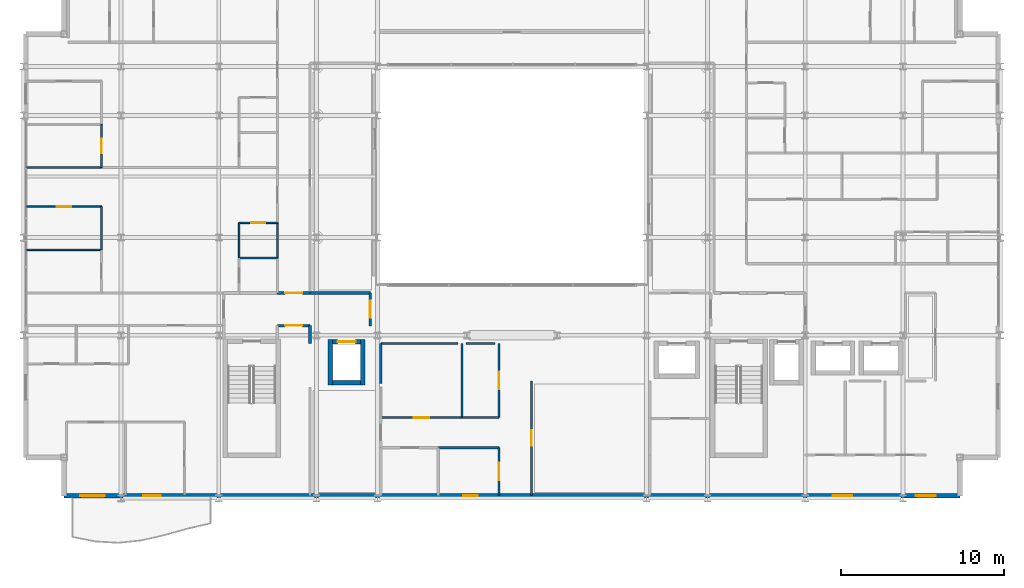
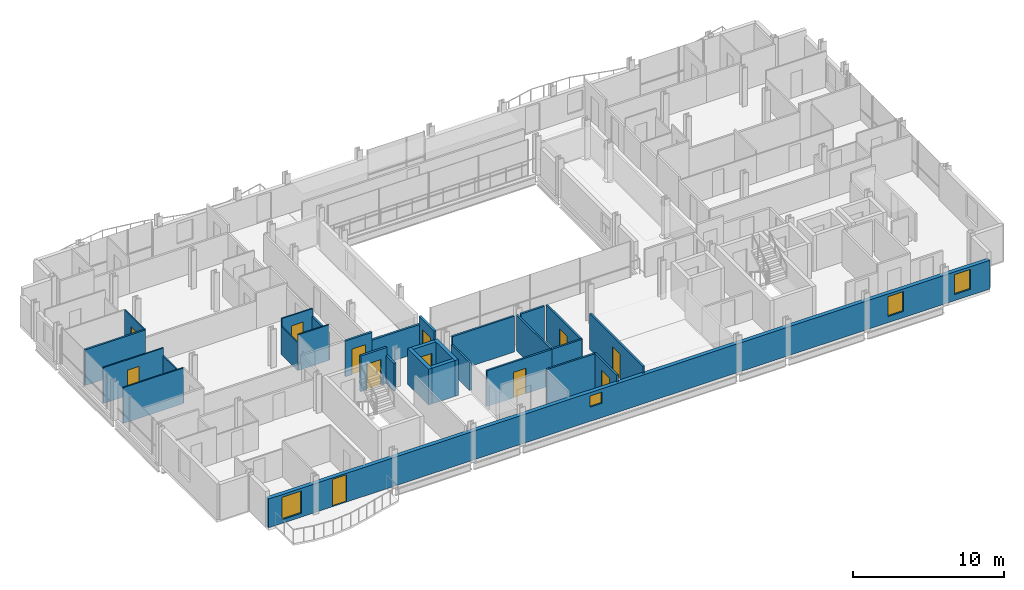
# One storey, part 34 of 41: 29 walls, 12 doors, 4 windows, 16 openings.
"""IFC4 building model written with IfcOpenShell, lengths in metres."""

from ifc_helpers import new_model, si_unit, direction, frame, frame_2d, origin, place, context, subcontext, project, spatial, rectangle, extrude, material, layer, layer_set, type_object, element, fill, save


model = new_model("IFC4")

# Units and contexts
model_context = context("Model", 3, precision=1e-05, world=origin(), true_north=direction((0.0, 1.0)))
body_context = subcontext(model_context, "Body", "Model", "MODEL_VIEW")
ifc_project = project(units=[si_unit("LENGTHUNIT", "METRE"), si_unit("AREAUNIT", "SQUARE_METRE"), si_unit("VOLUMEUNIT", "CUBIC_METRE"), si_unit("PLANEANGLEUNIT", "RADIAN"), si_unit("MASSUNIT", "GRAM", prefix="KILO")], contexts=[model_context])

# Site, building, storey
site_placement = place(None, origin())
site = spatial("IfcSite", under=ifc_project, at=site_placement, CompositionType="ELEMENT")
building_placement = place(site_placement, origin())
building = spatial("IfcBuilding", under=site, at=building_placement, Name="Brevholm Reach", CompositionType="ELEMENT")
storey_placement = place(building_placement, frame((0.0, 0.0, 144.89990234375)))
storey = spatial("IfcBuildingStorey", under=building, at=storey_placement, Name="L43", CompositionType="ELEMENT", Elevation=144.89990234375)

# Walls
ifc_material_1 = material(Name="Concrete C50/60", Category="concrete")
ifc_layer_1 = layer(ifc_material_1, 0.280029296875)
ifc_layer_set_1 = layer_set([ifc_layer_1], Name="Concrete C50/60")
wall_type_1 = type_object("IfcWallType", Name="WAL-COR-280", PredefinedType="SHEAR", material=ifc_layer_set_1)
for number, where, z_axis, x_axis, name in (
    (1, (18.85009765625, 6.9599609375, 0.0), (0.0, 0.0, 1.0), (0.0, 1.0, 0.0), "L43 Lift FFL-1 Shaft Wall W"),
    (2, (20.85009765625, 6.9599609375, 0.0), (0.0, 0.0, 1.0), (0.0, 1.0, 0.0), "L43 Lift FFL-1 Shaft Wall E"),
):
    element("IfcWall", number, at=place(storey_placement, frame(where, z_axis=z_axis, x_axis=x_axis)), inside=storey, type_object=wall_type_1, Name=name, PredefinedType="SHEAR", context=body_context, shape_type="SweptSolid", body=[
        extrude(rectangle(XDim=2.780029296875, YDim=0.280029296875, at=frame_2d((1.39013671875, 0.0))), origin(), (0.0, 0.0, 1.0), 2.880126953125),
    ])
wall_1_placement = place(storey_placement, frame((18.989990234375, 7.10009765625, 0.0), z_axis=(0.0, 0.0, 1.0), x_axis=(1.0, 0.0, 0.0)))
element("IfcWall", 3, at=wall_1_placement, inside=storey, type_object=wall_type_1, Name="L43 Lift FFL-1 Shaft Wall S", PredefinedType="SHEAR", context=body_context, shape_type="SweptSolid", body=[
    extrude(rectangle(XDim=1.719970703125, YDim=0.280029296875, at=frame_2d((0.85986328125, 0.0))), origin(), (0.0, 0.0, 1.0), 2.880126953125),
])

# Wall, opening, door
wall_2_placement = place(storey_placement, frame((18.989990234375, 9.60009765625, 0.0), z_axis=(0.0, 0.0, 1.0), x_axis=(1.0, 0.0, 0.0)))
wall_2 = element("IfcWall", 4, at=wall_2_placement, inside=storey, type_object=wall_type_1, Name="L43 Lift FFL-1 Shaft Wall N", PredefinedType="SHEAR", context=body_context, shape_type="SweptSolid", body=[
    extrude(rectangle(XDim=1.719970703125, YDim=0.280029296875, at=frame_2d((0.85986328125, 0.0))), origin(), (0.0, 0.0, 1.0), 2.880126953125),
])
opening_1_placement = place(wall_2_placement, frame((0.31005859375, 0.0, 0.0)))
opening_1 = element("IfcOpeningElement", 5, at=opening_1_placement, cuts=wall_2, Name="Opening LD-FFL-1", PredefinedType="OPENING", context=body_context, shape_type="SweptSolid", body=[
    extrude(rectangle(XDim=1.10009765625, YDim=2.06005859375, at=frame_2d((0.550048828125, 1.030029296875))), frame((0.0, 0.14990234375, 0.0), z_axis=(0.0, -1.0, 0.0), x_axis=(1.0, 0.0, 0.0)), (0.0, 0.0, 1.0), 0.300048828125),
])
ifc_material_2 = material(Name="Brushed Stainless Steel Fire-Rated Sliding Lift Door", Category="steel")
door_type_1 = type_object("IfcDoorType", Name="DOR-LFT-1100", OperationType="NOTDEFINED", PredefinedType="DOOR", material=ifc_material_2)
door_1_placement = place(opening_1_placement, origin())
door_1 = element("IfcDoor", 6, at=door_1_placement, inside=storey, type_object=door_type_1, Name="L43 Lift FFL-1 Sliding Landing Door", OperationType="SLIDING_TO_LEFT", OverallHeight=2.06005859375, OverallWidth=1.10009765625, PredefinedType="DOOR", context=body_context, shape_type="SweptSolid", body=[
    extrude(rectangle(XDim=1.10009765625, YDim=2.06005859375, at=frame_2d((0.550048828125, 1.030029296875))), frame((0.0, 0.02490234375, 0.0), z_axis=(0.0, -1.0, 0.0), x_axis=(1.0, 0.0, 0.0)), (0.0, 0.0, 1.0), 0.050048828125),
])
fill(opening_1, door_1)

# Wall, openings, door, windows
ifc_material_3 = material(Name="Concrete C40/50", Category="concrete")
ifc_layer_2 = layer(ifc_material_3, 0.300048828125)
ifc_layer_set_2 = layer_set([ifc_layer_2], Name="Concrete C40/50")
wall_type_2 = type_object("IfcWallType", Name="WAL-EXT-300", PredefinedType="STANDARD", material=ifc_layer_set_2)
wall_3_placement = place(storey_placement, frame((2.5, 0.14990234375, 0.0), z_axis=(0.0, 0.0, 1.0), x_axis=(1.0, 0.0, 0.0)))
wall_3 = element("IfcWall", 7, at=wall_3_placement, inside=storey, type_object=wall_type_2, Name="L43 Facade Wall WAL-L43-S", PredefinedType="STANDARD", context=body_context, shape_type="SweptSolid", body=[
    extrude(rectangle(XDim=55.0, YDim=0.300048828125, at=frame_2d((27.5, 0.0))), origin(), (0.0, 0.0, 1.0), 2.322021484375),
])
opening_2_placement = place(wall_3_placement, frame((4.85009765625, 0.0, 0.0)))
opening_2 = element("IfcOpeningElement", 8, at=opening_2_placement, cuts=wall_3, Name="Opening BD-01", PredefinedType="OPENING", context=body_context, shape_type="SweptSolid", body=[
    extrude(rectangle(XDim=1.10009765625, YDim=2.199951171875, at=frame_2d((0.550048828125, 1.10009765625))), frame((0.0, 0.159912109375, 0.0), z_axis=(0.0, -1.0, 0.0), x_axis=(1.0, 0.0, 0.0)), (0.0, 0.0, 1.0), 0.320068359375),
])
opening_3_placement = place(wall_3_placement, frame((1.0, 0.0, 0.302001953125)))
opening_3 = element("IfcOpeningElement", 9, at=opening_3_placement, cuts=wall_3, Name="Opening WN-05", PredefinedType="OPENING", context=body_context, shape_type="SweptSolid", body=[
    extrude(rectangle(XDim=1.5, YDim=1.800048828125, at=frame_2d((0.75, 0.89990234375))), frame((0.0, 0.159912109375, 0.0), z_axis=(0.0, -1.0, 0.0), x_axis=(1.0, 0.0, 0.0)), (0.0, 0.0, 1.0), 0.320068359375),
])
opening_4_placement = place(wall_3_placement, frame((24.5, 0.0, 1.14990234375)))
opening_4 = element("IfcOpeningElement", 10, at=opening_4_placement, cuts=wall_3, Name="Opening WN-09", PredefinedType="OPENING", context=body_context, shape_type="SweptSolid", body=[
    extrude(rectangle(XDim=0.89990234375, YDim=0.89990234375, at=frame_2d((0.449951171875, 0.449951171875))), frame((0.0, 0.159912109375, 0.0), z_axis=(0.0, -1.0, 0.0), x_axis=(1.0, 0.0, 0.0)), (0.0, 0.0, 1.0), 0.320068359375),
])
opening_5_placement = place(wall_3_placement, frame((47.199951171875, 0.0, 0.501953125)))
opening_5 = element("IfcOpeningElement", 11, at=opening_5_placement, cuts=wall_3, Name="Opening WN-08", PredefinedType="OPENING", context=body_context, shape_type="SweptSolid", body=[
    extrude(rectangle(XDim=1.199951171875, YDim=1.60009765625, at=frame_2d((0.60009765625, 0.800048828125))), frame((0.0, 0.159912109375, 0.0), z_axis=(0.0, -1.0, 0.0), x_axis=(1.0, 0.0, 0.0)), (0.0, 0.0, 1.0), 0.320068359375),
])
opening_6_placement = place(wall_3_placement, frame((52.300048828125, 0.0, 0.501953125)))
opening_6 = element("IfcOpeningElement", 12, at=opening_6_placement, cuts=wall_3, Name="Opening WN-08", PredefinedType="OPENING", context=body_context, shape_type="SweptSolid", body=[
    extrude(rectangle(XDim=1.199951171875, YDim=1.60009765625, at=frame_2d((0.60009765625, 0.800048828125))), frame((0.0, 0.159912109375, 0.0), z_axis=(0.0, -1.0, 0.0), x_axis=(1.0, 0.0, 0.0)), (0.0, 0.0, 1.0), 0.320068359375),
])
ifc_material_4 = material(Name="Dark Anodised Aluminium and Triple-Glazed Glass", Category="aluminium")
door_type_2 = type_object("IfcDoorType", Name="DOR-BALC-1100", OperationType="NOTDEFINED", PredefinedType="DOOR", material=ifc_material_4)
door_2_placement = place(opening_2_placement, origin())
door_2 = element("IfcDoor", 13, at=door_2_placement, inside=storey, type_object=door_type_2, Name="L43 Exterior Door DOR-L43-BL-SW", OperationType="SINGLE_SWING_RIGHT", OverallHeight=2.199951171875, OverallWidth=1.10009765625, PredefinedType="DOOR", context=body_context, shape_type="SweptSolid", body=[
    extrude(rectangle(XDim=1.10009765625, YDim=2.199951171875, at=frame_2d((0.550048828125, 1.10009765625))), frame((0.0, 0.02490234375, 0.0), z_axis=(0.0, -1.0, 0.0), x_axis=(1.0, 0.0, 0.0)), (0.0, 0.0, 1.0), 0.050048828125),
])
fill(opening_2, door_2)
ifc_material_5 = material(Name="Dark Anodised Aluminium and Solar-Control IGU Glass", Category="aluminium")
window_type_1 = type_object("IfcWindowType", Name="WIN-POR-0900", PartitioningType="SINGLE_PANEL", PredefinedType="WINDOW", material=ifc_material_5)
window_1_placement = place(opening_4_placement, origin())
window_1 = element("IfcWindow", 14, at=window_1_placement, inside=storey, type_object=window_type_1, Name="L43 Window WIN-L43-S-POR", OverallHeight=0.89990234375, OverallWidth=0.89990234375, PartitioningType="SINGLE_PANEL", PredefinedType="WINDOW", context=body_context, shape_type="SweptSolid", body=[
    extrude(rectangle(XDim=0.89990234375, YDim=0.89990234375, at=frame_2d((0.449951171875, 0.449951171875))), frame((0.0, 0.030029296875, 0.0), z_axis=(0.0, -1.0, 0.0), x_axis=(1.0, 0.0, 0.0)), (0.0, 0.0, 1.0), 0.06005859375),
])
fill(opening_4, window_1)
ifc_material_6 = material(Name="Dark Anodised Aluminium and Solar-Control IGU Glass", Category="aluminium")
window_type_2 = type_object("IfcWindowType", Name="WIN-RES-1200", PartitioningType="SINGLE_PANEL", PredefinedType="WINDOW", material=ifc_material_6)
window_2_placement = place(opening_5_placement, origin())
window_2 = element("IfcWindow", 15, at=window_2_placement, inside=storey, type_object=window_type_2, Name="L43 Window WIN-L43-S-E1", OverallHeight=1.60009765625, OverallWidth=1.199951171875, PartitioningType="SINGLE_PANEL", PredefinedType="WINDOW", context=body_context, shape_type="SweptSolid", body=[
    extrude(rectangle(XDim=1.199951171875, YDim=1.60009765625, at=frame_2d((0.60009765625, 0.800048828125))), frame((0.0, 0.030029296875, 0.0), z_axis=(0.0, -1.0, 0.0), x_axis=(1.0, 0.0, 0.0)), (0.0, 0.0, 1.0), 0.06005859375),
])
fill(opening_5, window_2)
window_3_placement = place(opening_6_placement, origin())
window_3 = element("IfcWindow", 16, at=window_3_placement, inside=storey, type_object=window_type_2, Name="L43 Window WIN-L43-S-E2", OverallHeight=1.60009765625, OverallWidth=1.199951171875, PartitioningType="SINGLE_PANEL", PredefinedType="WINDOW", context=body_context, shape_type="SweptSolid", body=[
    extrude(rectangle(XDim=1.199951171875, YDim=1.60009765625, at=frame_2d((0.60009765625, 0.800048828125))), frame((0.0, 0.030029296875, 0.0), z_axis=(0.0, -1.0, 0.0), x_axis=(1.0, 0.0, 0.0)), (0.0, 0.0, 1.0), 0.06005859375),
])
fill(opening_6, window_3)
ifc_material_7 = material(Name="Dark Anodised Aluminium and Solar-Control IGU Glass", Category="aluminium")
window_type_3 = type_object("IfcWindowType", Name="WIN-RES-1500", PartitioningType="SINGLE_PANEL", PredefinedType="WINDOW", material=ifc_material_7)
window_4_placement = place(opening_3_placement, origin())
window_4 = element("IfcWindow", 17, at=window_4_placement, inside=storey, type_object=window_type_3, Name="L43 Window WIN-L43-S-W1", OverallHeight=1.800048828125, OverallWidth=1.5, PartitioningType="SINGLE_PANEL", PredefinedType="WINDOW", context=body_context, shape_type="SweptSolid", body=[
    extrude(rectangle(XDim=1.5, YDim=1.800048828125, at=frame_2d((0.75, 0.89990234375))), frame((0.0, 0.030029296875, 0.0), z_axis=(0.0, -1.0, 0.0), x_axis=(1.0, 0.0, 0.0)), (0.0, 0.0, 1.0), 0.06005859375),
])
fill(opening_3, window_4)

# Wall
ifc_material_8 = material(Name="Moisture-Resistant Acoustic Gypsum Stud Partition 100 mm", Category="gypsum")
ifc_layer_3 = layer(ifc_material_8, 0.10009765625)
ifc_layer_set_3 = layer_set([ifc_layer_3], Name="Moisture-Resistant Acoustic Gypsum Stud Partition 100 mm")
wall_type_3 = type_object("IfcWallType", Name="WAL-PRT-100", PredefinedType="PARTITIONING", material=ifc_layer_set_3)
wall_4_placement = place(storey_placement, frame((13.25, 14.75, 0.0), z_axis=(0.0, 0.0, 1.0), x_axis=(1.0, 0.0, 0.0)))
element("IfcWall", 18, at=wall_4_placement, inside=storey, type_object=wall_type_3, Name="L43 Internal Partition 077", PredefinedType="PARTITIONING", context=body_context, shape_type="SweptSolid", body=[
    extrude(rectangle(XDim=2.345947265625, YDim=0.10009765625, at=frame_2d((1.1728515625, 0.0))), origin(), (0.0, 0.0, 1.0), 2.880126953125),
])

# Wall, opening, door
wall_5_placement = place(storey_placement, frame((13.25, 16.906005859375, 0.0), z_axis=(0.0, 0.0, 1.0), x_axis=(1.0, 0.0, 0.0)))
wall_5 = element("IfcWall", 19, at=wall_5_placement, inside=storey, type_object=wall_type_3, Name="L43 Internal Partition 079", PredefinedType="PARTITIONING", context=body_context, shape_type="SweptSolid", body=[
    extrude(rectangle(XDim=2.345947265625, YDim=0.10009765625, at=frame_2d((1.1728515625, 0.0))), origin(), (0.0, 0.0, 1.0), 2.880126953125),
])
opening_7_placement = place(wall_5_placement, frame((0.73291015625, 0.0, 0.0)))
opening_7 = element("IfcOpeningElement", 20, at=opening_7_placement, cuts=wall_5, Name="Opening ID-01", PredefinedType="OPENING", context=body_context, shape_type="SweptSolid", body=[
    extrude(rectangle(XDim=0.8798828125, YDim=2.0400390625, at=frame_2d((0.43994140625, 1.02001953125))), frame((0.0, 0.06005859375, 0.0), z_axis=(0.0, -1.0, 0.0), x_axis=(1.0, 0.0, 0.0)), (0.0, 0.0, 1.0), 0.1201171875),
])
ifc_material_9 = material(Name="Lacquered Ash Solid-Core Acoustic Internal Door", Category="timber")
door_type_3 = type_object("IfcDoorType", Name="DOR-INT-880", OperationType="NOTDEFINED", PredefinedType="DOOR", material=ifc_material_9)
door_3_placement = place(opening_7_placement, origin())
door_3 = element("IfcDoor", 21, at=door_3_placement, inside=storey, type_object=door_type_3, Name="L43 Internal Door 035", OperationType="SINGLE_SWING_RIGHT", OverallHeight=2.0400390625, OverallWidth=0.8798828125, PredefinedType="DOOR", context=body_context, shape_type="SweptSolid", body=[
    extrude(rectangle(XDim=0.8798828125, YDim=2.0400390625, at=frame_2d((0.43994140625, 1.02001953125))), frame((0.0, 0.02490234375, 0.0), z_axis=(0.0, -1.0, 0.0), x_axis=(1.0, 0.0, 0.0)), (0.0, 0.0, 1.0), 0.050048828125),
])
fill(opening_7, door_3)

# Walls
wall_6_placement = place(storey_placement, frame((13.25, 14.75390625, 0.0), z_axis=(0.0, 0.0, 1.0), x_axis=(0.0, 1.0, 0.0)))
element("IfcWall", 22, at=wall_6_placement, inside=storey, type_object=wall_type_3, Name="L43 Internal Partition 080", PredefinedType="PARTITIONING", context=body_context, shape_type="SweptSolid", body=[
    extrude(rectangle(XDim=2.152099609375, YDim=0.10009765625, at=frame_2d((1.076171875, 0.0))), origin(), (0.0, 0.0, 1.0), 2.242919921875),
])
wall_7_placement = place(storey_placement, frame((0.199951171875, 15.25, 0.0), z_axis=(0.0, 0.0, 1.0), x_axis=(1.0, 0.0, 0.0)))
element("IfcWall", 23, at=wall_7_placement, inside=storey, type_object=wall_type_3, Name="L43 Internal Partition 081", PredefinedType="PARTITIONING", context=body_context, shape_type="SweptSolid", body=[
    extrude(rectangle(XDim=4.60009765625, YDim=0.10009765625, at=frame_2d((2.300048828125, 0.0))), origin(), (0.0, 0.0, 1.0), 2.880126953125),
])
wall_8_placement = place(storey_placement, frame((4.800048828125, 15.25390625, 0.0), z_axis=(0.0, 0.0, 1.0), x_axis=(0.0, 1.0, 0.0)))
element("IfcWall", 24, at=wall_8_placement, inside=storey, type_object=wall_type_3, Name="L43 Internal Partition 083", PredefinedType="PARTITIONING", context=body_context, shape_type="SweptSolid", body=[
    extrude(rectangle(XDim=2.64599609375, YDim=0.10009765625, at=frame_2d((1.322998046875, 0.0))), origin(), (0.0, 0.0, 1.0), 2.242919921875),
])

# Wall, opening, door
wall_9_placement = place(storey_placement, frame((0.199951171875, 17.89990234375, 0.0), z_axis=(0.0, 0.0, 1.0), x_axis=(1.0, 0.0, 0.0)))
wall_9 = element("IfcWall", 25, at=wall_9_placement, inside=storey, type_object=wall_type_3, Name="L43 Internal Partition 084", PredefinedType="PARTITIONING", context=body_context, shape_type="SweptSolid", body=[
    extrude(rectangle(XDim=4.60009765625, YDim=0.10009765625, at=frame_2d((2.300048828125, 0.0))), origin(), (0.0, 0.0, 1.0), 2.880126953125),
])
opening_8_placement = place(wall_9_placement, frame((1.860107421875, 0.0, 0.0)))
opening_8 = element("IfcOpeningElement", 26, at=opening_8_placement, cuts=wall_9, Name="Opening ID-01", PredefinedType="OPENING", context=body_context, shape_type="SweptSolid", body=[
    extrude(rectangle(XDim=0.8798828125, YDim=2.0400390625, at=frame_2d((0.43994140625, 1.02001953125))), frame((0.0, 0.06005859375, 0.0), z_axis=(0.0, -1.0, 0.0), x_axis=(1.0, 0.0, 0.0)), (0.0, 0.0, 1.0), 0.1201171875),
])
door_4_placement = place(opening_8_placement, origin())
door_4 = element("IfcDoor", 27, at=door_4_placement, inside=storey, type_object=door_type_3, Name="L43 Internal Door 037", OperationType="SINGLE_SWING_RIGHT", OverallHeight=2.0400390625, OverallWidth=0.8798828125, PredefinedType="DOOR", context=body_context, shape_type="SweptSolid", body=[
    extrude(rectangle(XDim=0.8798828125, YDim=2.0400390625, at=frame_2d((0.43994140625, 1.02001953125))), frame((0.0, 0.02490234375, 0.0), z_axis=(0.0, -1.0, 0.0), x_axis=(1.0, 0.0, 0.0)), (0.0, 0.0, 1.0), 0.050048828125),
])
fill(opening_8, door_4)

wall_10_placement = place(storey_placement, frame((4.800048828125, 20.303955078125, 0.0), z_axis=(0.0, 0.0, 1.0), x_axis=(0.0, 1.0, 0.0)))
wall_10 = element("IfcWall", 28, at=wall_10_placement, inside=storey, type_object=wall_type_3, Name="L43 Internal Partition 093", PredefinedType="PARTITIONING", context=body_context, shape_type="SweptSolid", body=[
    extrude(rectangle(XDim=2.64599609375, YDim=0.10009765625, at=frame_2d((1.322998046875, 0.0))), origin(), (0.0, 0.0, 1.0), 2.880126953125),
])
opening_9_placement = place(wall_10_placement, frame((0.883056640625, 0.0, 0.0)))
opening_9 = element("IfcOpeningElement", 29, at=opening_9_placement, cuts=wall_10, Name="Opening ID-01", PredefinedType="OPENING", context=body_context, shape_type="SweptSolid", body=[
    extrude(rectangle(XDim=0.8798828125, YDim=2.0400390625, at=frame_2d((0.43994140625, 1.02001953125))), frame((0.0, 0.06005859375, 0.0), z_axis=(0.0, -1.0, 0.0), x_axis=(1.0, 0.0, 0.0)), (0.0, 0.0, 1.0), 0.1201171875),
])
door_5_placement = place(opening_9_placement, origin())
door_5 = element("IfcDoor", 30, at=door_5_placement, inside=storey, type_object=door_type_3, Name="L43 Internal Door 040", OperationType="SINGLE_SWING_LEFT", OverallHeight=2.0400390625, OverallWidth=0.8798828125, PredefinedType="DOOR", context=body_context, shape_type="SweptSolid", body=[
    extrude(rectangle(XDim=0.8798828125, YDim=2.0400390625, at=frame_2d((0.43994140625, 1.02001953125))), frame((0.0, 0.02490234375, 0.0), z_axis=(0.0, -1.0, 0.0), x_axis=(1.0, 0.0, 0.0)), (0.0, 0.0, 1.0), 0.050048828125),
])
fill(opening_9, door_5)

ifc_material_10 = material(Name="Twin-Stud Acoustic Fire-Rated Gypsum Partition 140 mm", Category="gypsum")
ifc_layer_4 = layer(ifc_material_10, 0.139892578125)
ifc_layer_set_4 = layer_set([ifc_layer_4], Name="Twin-Stud Acoustic Fire-Rated Gypsum Partition 140 mm")
wall_type_4 = type_object("IfcWallType", Name="WAL-PRT-140", PredefinedType="PARTITIONING", material=ifc_layer_set_4)
wall_11_placement = place(storey_placement, frame((29.199951171875, 0.179931640625, 0.0), z_axis=(0.0, 0.0, 1.0), x_axis=(0.0, 1.0, 0.0)))
wall_11 = element("IfcWall", 31, at=wall_11_placement, inside=storey, type_object=wall_type_4, Name="L43 Internal Partition 001", PredefinedType="PARTITIONING", context=body_context, shape_type="SweptSolid", body=[
    extrude(rectangle(XDim=2.927490234375, YDim=0.139892578125, at=frame_2d((1.4638671875, 0.0))), origin(), (0.0, 0.0, 1.0), 2.880126953125),
])
opening_10_placement = place(wall_11_placement, frame((0.938720703125, 0.0, 0.0)))
opening_10 = element("IfcOpeningElement", 32, at=opening_10_placement, cuts=wall_11, Name="Opening FD-01", PredefinedType="OPENING", context=body_context, shape_type="SweptSolid", body=[
    extrude(rectangle(XDim=1.050048828125, YDim=2.06005859375, at=frame_2d((0.52490234375, 1.030029296875))), frame((0.0, 0.079833984375, 0.0), z_axis=(0.0, -1.0, 0.0), x_axis=(1.0, 0.0, 0.0)), (0.0, 0.0, 1.0), 0.159912109375),
])
ifc_material_11 = material(Name="Hardwood-Lipped Steel-Core Fire and Smoke Door", Category="steel")
door_type_4 = type_object("IfcDoorType", Name="DOR-INT-FD60S", OperationType="NOTDEFINED", PredefinedType="DOOR", material=ifc_material_11)
door_6_placement = place(opening_10_placement, origin())
door_6 = element("IfcDoor", 33, at=door_6_placement, inside=storey, type_object=door_type_4, Name="L43 Internal Door 001", OperationType="SINGLE_SWING_RIGHT", OverallHeight=2.06005859375, OverallWidth=1.050048828125, PredefinedType="DOOR", context=body_context, shape_type="SweptSolid", body=[
    extrude(rectangle(XDim=1.050048828125, YDim=2.06005859375, at=frame_2d((0.52490234375, 1.030029296875))), frame((0.0, 0.02490234375, 0.0), z_axis=(0.0, -1.0, 0.0), x_axis=(1.0, 0.0, 0.0)), (0.0, 0.0, 1.0), 0.050048828125),
])
fill(opening_10, door_6)

wall_12_placement = place(storey_placement, frame((29.199951171875, 4.942626953125, 0.0), z_axis=(0.0, 0.0, 1.0), x_axis=(0.0, 1.0, 0.0)))
wall_12 = element("IfcWall", 34, at=wall_12_placement, inside=storey, type_object=wall_type_4, Name="L43 Internal Partition 002", PredefinedType="PARTITIONING", context=body_context, shape_type="SweptSolid", body=[
    extrude(rectangle(XDim=4.568603515625, YDim=0.139892578125, at=frame_2d((2.2841796875, 0.0))), origin(), (0.0, 0.0, 1.0), 2.880126953125),
])
opening_11_placement = place(wall_12_placement, frame((1.75927734375, 0.0, 0.0)))
opening_11 = element("IfcOpeningElement", 35, at=opening_11_placement, cuts=wall_12, Name="Opening FD-01", PredefinedType="OPENING", context=body_context, shape_type="SweptSolid", body=[
    extrude(rectangle(XDim=1.050048828125, YDim=2.06005859375, at=frame_2d((0.52490234375, 1.030029296875))), frame((0.0, 0.079833984375, 0.0), z_axis=(0.0, -1.0, 0.0), x_axis=(1.0, 0.0, 0.0)), (0.0, 0.0, 1.0), 0.159912109375),
])
door_7_placement = place(opening_11_placement, origin())
door_7 = element("IfcDoor", 36, at=door_7_placement, inside=storey, type_object=door_type_4, Name="L43 Internal Door 002", OperationType="SINGLE_SWING_LEFT", OverallHeight=2.06005859375, OverallWidth=1.050048828125, PredefinedType="DOOR", context=body_context, shape_type="SweptSolid", body=[
    extrude(rectangle(XDim=1.050048828125, YDim=2.06005859375, at=frame_2d((0.52490234375, 1.030029296875))), frame((0.0, 0.02490234375, 0.0), z_axis=(0.0, -1.0, 0.0), x_axis=(1.0, 0.0, 0.0)), (0.0, 0.0, 1.0), 0.050048828125),
])
fill(opening_11, door_7)

wall_13_placement = place(storey_placement, frame((31.199951171875, 0.179931640625, 0.0), z_axis=(0.0, 0.0, 1.0), x_axis=(0.0, 1.0, 0.0)))
wall_13 = element("IfcWall", 37, at=wall_13_placement, inside=storey, type_object=wall_type_4, Name="L43 Internal Partition 003", PredefinedType="PARTITIONING", context=body_context, shape_type="SweptSolid", body=[
    extrude(rectangle(XDim=7.03125, YDim=0.139892578125, at=frame_2d((3.515625, 0.0))), origin(), (0.0, 0.0, 1.0), 2.880126953125),
])
opening_12_placement = place(wall_13_placement, frame((3.04052734375, 0.0, 0.0)))
opening_12 = element("IfcOpeningElement", 38, at=opening_12_placement, cuts=wall_13, Name="Opening ID-30", PredefinedType="OPENING", context=body_context, shape_type="SweptSolid", body=[
    extrude(rectangle(XDim=0.949951171875, YDim=2.050048828125, at=frame_2d((0.47509765625, 1.02490234375))), frame((0.0, 0.079833984375, 0.0), z_axis=(0.0, -1.0, 0.0), x_axis=(1.0, 0.0, 0.0)), (0.0, 0.0, 1.0), 0.159912109375),
])
ifc_material_12 = material(Name="European Oak Veneered Solid-Core Fire Entrance Door", Category="timber")
door_type_5 = type_object("IfcDoorType", Name="DOR-FLT-FD30S", OperationType="NOTDEFINED", PredefinedType="DOOR", material=ifc_material_12)
door_8_placement = place(opening_12_placement, origin())
door_8 = element("IfcDoor", 39, at=door_8_placement, inside=storey, type_object=door_type_5, Name="L43 Internal Door 003", OperationType="SINGLE_SWING_RIGHT", OverallHeight=2.050048828125, OverallWidth=0.949951171875, PredefinedType="DOOR", context=body_context, shape_type="SweptSolid", body=[
    extrude(rectangle(XDim=0.949951171875, YDim=2.050048828125, at=frame_2d((0.47509765625, 1.02490234375))), frame((0.0, 0.02490234375, 0.0), z_axis=(0.0, -1.0, 0.0), x_axis=(1.0, 0.0, 0.0)), (0.0, 0.0, 1.0), 0.050048828125),
])
fill(opening_12, door_8)

# Wall
wall_14_placement = place(storey_placement, frame((25.47265625, 3.10009765625, 0.0), z_axis=(0.0, 0.0, 1.0), x_axis=(1.0, 0.0, 0.0)))
element("IfcWall", 40, at=wall_14_placement, inside=storey, type_object=wall_type_4, Name="L43 Internal Partition 005", PredefinedType="PARTITIONING", context=body_context, shape_type="SweptSolid", body=[
    extrude(rectangle(XDim=3.723388671875, YDim=0.139892578125, at=frame_2d((1.86181640625, 0.0))), origin(), (0.0, 0.0, 1.0), 2.880126953125),
])

# Wall, opening, door
wall_15_placement = place(storey_placement, frame((21.949951171875, 4.949951171875, 0.0), z_axis=(0.0, 0.0, 1.0), x_axis=(1.0, 0.0, 0.0)))
wall_15 = element("IfcWall", 41, at=wall_15_placement, inside=storey, type_object=wall_type_4, Name="L43 Internal Partition 006", PredefinedType="PARTITIONING", context=body_context, shape_type="SweptSolid", body=[
    extrude(rectangle(XDim=4.991455078125, YDim=0.139892578125, at=frame_2d((2.49560546875, 0.0))), origin(), (0.0, 0.0, 1.0), 2.880126953125),
])
opening_13_placement = place(wall_15_placement, frame((2.0205078125, 0.0, 0.0)))
opening_13 = element("IfcOpeningElement", 42, at=opening_13_placement, cuts=wall_15, Name="Opening ID-30", PredefinedType="OPENING", context=body_context, shape_type="SweptSolid", body=[
    extrude(rectangle(XDim=0.949951171875, YDim=2.050048828125, at=frame_2d((0.47509765625, 1.02490234375))), frame((0.0, 0.079833984375, 0.0), z_axis=(0.0, -1.0, 0.0), x_axis=(1.0, 0.0, 0.0)), (0.0, 0.0, 1.0), 0.159912109375),
])
door_9_placement = place(opening_13_placement, origin())
door_9 = element("IfcDoor", 43, at=door_9_placement, inside=storey, type_object=door_type_5, Name="L43 Internal Door 005", OperationType="SINGLE_SWING_RIGHT", OverallHeight=2.050048828125, OverallWidth=0.949951171875, PredefinedType="DOOR", context=body_context, shape_type="SweptSolid", body=[
    extrude(rectangle(XDim=0.949951171875, YDim=2.050048828125, at=frame_2d((0.47509765625, 1.02490234375))), frame((0.0, 0.02490234375, 0.0), z_axis=(0.0, -1.0, 0.0), x_axis=(1.0, 0.0, 0.0)), (0.0, 0.0, 1.0), 0.050048828125),
])
fill(opening_13, door_9)

# Walls
wall_16_placement = place(storey_placement, frame((26.922607421875, 4.949951171875, 0.0), z_axis=(0.0, 0.0, 1.0), x_axis=(1.0, 0.0, 0.0)))
element("IfcWall", 44, at=wall_16_placement, inside=storey, type_object=wall_type_4, Name="L43 Internal Partition 007", PredefinedType="PARTITIONING", context=body_context, shape_type="SweptSolid", body=[
    extrude(rectangle(XDim=2.2734375, YDim=0.139892578125, at=frame_2d((1.13671875, 0.0))), origin(), (0.0, 0.0, 1.0), 2.880126953125),
])
wall_17_placement = place(storey_placement, frame((26.929931640625, 4.9541015625, 0.0), z_axis=(0.0, 0.0, 1.0), x_axis=(0.0, 1.0, 0.0)))
element("IfcWall", 45, at=wall_17_placement, inside=storey, type_object=wall_type_4, Name="L43 Internal Partition 011", PredefinedType="PARTITIONING", context=body_context, shape_type="SweptSolid", body=[
    extrude(rectangle(XDim=4.5458984375, YDim=0.139892578125, at=frame_2d((2.27294921875, 0.0))), origin(), (0.0, 0.0, 1.0), 2.880126953125),
])
wall_18_placement = place(storey_placement, frame((15.60009765625, 14.74267578125, 0.0), z_axis=(0.0, 0.0, 1.0), x_axis=(0.0, 1.0, 0.0)))
element("IfcWall", 46, at=wall_18_placement, inside=storey, type_object=wall_type_4, Name="L43 Internal Partition 043", PredefinedType="PARTITIONING", context=body_context, shape_type="SweptSolid", body=[
    extrude(rectangle(XDim=2.174560546875, YDim=0.139892578125, at=frame_2d((1.08740234375, 0.0))), origin(), (0.0, 0.0, 1.0), 2.242919921875),
])
wall_19_placement = place(storey_placement, frame((0.199951171875, 20.300048828125, 0.0), z_axis=(0.0, 0.0, 1.0), x_axis=(1.0, 0.0, 0.0)))
element("IfcWall", 47, at=wall_19_placement, inside=storey, type_object=wall_type_4, Name="L43 Internal Partition 086", PredefinedType="PARTITIONING", context=body_context, shape_type="SweptSolid", body=[
    extrude(rectangle(XDim=4.611328125, YDim=0.139892578125, at=frame_2d((2.3056640625, 0.0))), origin(), (0.0, 0.0, 1.0), 2.880126953125),
])
wall_20_placement = place(storey_placement, frame((21.949951171875, 9.5, 0.0), z_axis=(0.0, 0.0, 1.0), x_axis=(1.0, 0.0, 0.0)))
element("IfcWall", 48, at=wall_20_placement, inside=storey, type_object=wall_type_4, Name="L43 Internal Partition 125", PredefinedType="PARTITIONING", context=body_context, shape_type="SweptSolid", body=[
    extrude(rectangle(XDim=4.739990234375, YDim=0.139892578125, at=frame_2d((2.3701171875, 0.0))), origin(), (0.0, 0.0, 1.0), 2.880126953125),
])
wall_21_placement = place(storey_placement, frame((21.949951171875, 7.05126953125, 0.0), z_axis=(0.0, 0.0, 1.0), x_axis=(0.0, 1.0, 0.0)))
element("IfcWall", 49, at=wall_21_placement, inside=storey, type_object=wall_type_4, Name="L43 Internal Partition 126", PredefinedType="PARTITIONING", context=body_context, shape_type="SweptSolid", body=[
    extrude(rectangle(XDim=2.44873046875, YDim=0.139892578125, at=frame_2d((1.224365234375, 0.0))), origin(), (0.0, 0.0, 1.0), 2.242919921875),
])
wall_22_placement = place(storey_placement, frame((27.169921875, 9.5, 0.0), z_axis=(0.0, 0.0, 1.0), x_axis=(1.0, 0.0, 0.0)))
element("IfcWall", 50, at=wall_22_placement, inside=storey, type_object=wall_type_4, Name="L43 Internal Partition 127", PredefinedType="PARTITIONING", context=body_context, shape_type="SweptSolid", body=[
    extrude(rectangle(XDim=1.7900390625, YDim=0.139892578125, at=frame_2d((0.89501953125, 0.0))), origin(), (0.0, 0.0, 1.0), 2.880126953125),
])
ifc_material_13 = material(Name="Twin-Frame Fire-Rated Gypsum Board and Mineral Wool 160 mm", Category="gypsum")
ifc_layer_5 = layer(ifc_material_13, 0.159912109375)
ifc_layer_set_5 = layer_set([ifc_layer_5], Name="Twin-Frame Fire-Rated Gypsum Board and Mineral Wool 160 mm")
wall_type_5 = type_object("IfcWallType", Name="WAL-PRT-160", PredefinedType="PARTITIONING", material=ifc_layer_set_5)
wall_23_placement = place(storey_placement, frame((17.60009765625, 9.48876953125, 0.0), z_axis=(0.0, 0.0, 1.0), x_axis=(0.0, 1.0, 0.0)))
element("IfcWall", 51, at=wall_23_placement, inside=storey, type_object=wall_type_5, Name="L43 Internal Partition 022", PredefinedType="PARTITIONING", context=body_context, shape_type="SweptSolid", body=[
    extrude(rectangle(XDim=1.111328125, YDim=0.159912109375, at=frame_2d((0.5556640625, 0.0))), origin(), (0.0, 0.0, 1.0), 2.242919921875),
])

# Wall, opening, door
wall_24_placement = place(storey_placement, frame((15.60009765625, 10.60009765625, 0.0), z_axis=(0.0, 0.0, 1.0), x_axis=(1.0, 0.0, 0.0)))
wall_24 = element("IfcWall", 52, at=wall_24_placement, inside=storey, type_object=wall_type_5, Name="L43 Internal Partition 023", PredefinedType="PARTITIONING", context=body_context, shape_type="SweptSolid", body=[
    extrude(rectangle(XDim=2.0, YDim=0.159912109375, at=frame_2d((1.0, 0.0))), origin(), (0.0, 0.0, 1.0), 2.880126953125),
])
opening_14_placement = place(wall_24_placement, frame((0.47509765625, 0.0, 0.0)))
opening_14 = element("IfcOpeningElement", 53, at=opening_14_placement, cuts=wall_24, Name="Opening FD-01", PredefinedType="OPENING", context=body_context, shape_type="SweptSolid", body=[
    extrude(rectangle(XDim=1.050048828125, YDim=2.06005859375, at=frame_2d((0.52490234375, 1.030029296875))), frame((0.0, 0.08984375, 0.0), z_axis=(0.0, -1.0, 0.0), x_axis=(1.0, 0.0, 0.0)), (0.0, 0.0, 1.0), 0.179931640625),
])
door_10_placement = place(opening_14_placement, origin())
door_10 = element("IfcDoor", 54, at=door_10_placement, inside=storey, type_object=door_type_4, Name="L43 Internal Door 011", OperationType="SINGLE_SWING_RIGHT", OverallHeight=2.06005859375, OverallWidth=1.050048828125, PredefinedType="DOOR", context=body_context, shape_type="SweptSolid", body=[
    extrude(rectangle(XDim=1.050048828125, YDim=2.06005859375, at=frame_2d((0.52490234375, 1.030029296875))), frame((0.0, 0.02490234375, 0.0), z_axis=(0.0, -1.0, 0.0), x_axis=(1.0, 0.0, 0.0)), (0.0, 0.0, 1.0), 0.050048828125),
])
fill(opening_14, door_10)

wall_25_placement = place(storey_placement, frame((21.300048828125, 10.588623046875, 0.0), z_axis=(0.0, 0.0, 1.0), x_axis=(0.0, 1.0, 0.0)))
wall_25 = element("IfcWall", 55, at=wall_25_placement, inside=storey, type_object=wall_type_5, Name="L43 Internal Partition 028", PredefinedType="PARTITIONING", context=body_context, shape_type="SweptSolid", body=[
    extrude(rectangle(XDim=2.011474609375, YDim=0.159912109375, at=frame_2d((1.005859375, 0.0))), origin(), (0.0, 0.0, 1.0), 2.880126953125),
])
opening_15_placement = place(wall_25_placement, frame((0.480712890625, 0.0, 0.0)))
opening_15 = element("IfcOpeningElement", 56, at=opening_15_placement, cuts=wall_25, Name="Opening FD-01", PredefinedType="OPENING", context=body_context, shape_type="SweptSolid", body=[
    extrude(rectangle(XDim=1.050048828125, YDim=2.06005859375, at=frame_2d((0.52490234375, 1.030029296875))), frame((0.0, 0.08984375, 0.0), z_axis=(0.0, -1.0, 0.0), x_axis=(1.0, 0.0, 0.0)), (0.0, 0.0, 1.0), 0.179931640625),
])
door_11_placement = place(opening_15_placement, origin())
door_11 = element("IfcDoor", 57, at=door_11_placement, inside=storey, type_object=door_type_4, Name="L43 Internal Door 013", OperationType="SINGLE_SWING_RIGHT", OverallHeight=2.06005859375, OverallWidth=1.050048828125, PredefinedType="DOOR", context=body_context, shape_type="SweptSolid", body=[
    extrude(rectangle(XDim=1.050048828125, YDim=2.06005859375, at=frame_2d((0.52490234375, 1.030029296875))), frame((0.0, 0.02490234375, 0.0), z_axis=(0.0, -1.0, 0.0), x_axis=(1.0, 0.0, 0.0)), (0.0, 0.0, 1.0), 0.050048828125),
])
fill(opening_15, door_11)

wall_26_placement = place(storey_placement, frame((15.588623046875, 12.60009765625, 0.0), z_axis=(0.0, 0.0, 1.0), x_axis=(1.0, 0.0, 0.0)))
wall_26 = element("IfcWall", 58, at=wall_26_placement, inside=storey, type_object=wall_type_5, Name="L43 Internal Partition 029", PredefinedType="PARTITIONING", context=body_context, shape_type="SweptSolid", body=[
    extrude(rectangle(XDim=2.022705078125, YDim=0.159912109375, at=frame_2d((1.01123046875, 0.0))), origin(), (0.0, 0.0, 1.0), 2.880126953125),
])
opening_16_placement = place(wall_26_placement, frame((0.486328125, 0.0, 0.0)))
opening_16 = element("IfcOpeningElement", 59, at=opening_16_placement, cuts=wall_26, Name="Opening FD-01", PredefinedType="OPENING", context=body_context, shape_type="SweptSolid", body=[
    extrude(rectangle(XDim=1.050048828125, YDim=2.06005859375, at=frame_2d((0.52490234375, 1.030029296875))), frame((0.0, 0.08984375, 0.0), z_axis=(0.0, -1.0, 0.0), x_axis=(1.0, 0.0, 0.0)), (0.0, 0.0, 1.0), 0.179931640625),
])
door_12_placement = place(opening_16_placement, origin())
door_12 = element("IfcDoor", 60, at=door_12_placement, inside=storey, type_object=door_type_4, Name="L43 Internal Door 014", OperationType="SINGLE_SWING_LEFT", OverallHeight=2.06005859375, OverallWidth=1.050048828125, PredefinedType="DOOR", context=body_context, shape_type="SweptSolid", body=[
    extrude(rectangle(XDim=1.050048828125, YDim=2.06005859375, at=frame_2d((0.52490234375, 1.030029296875))), frame((0.0, 0.02490234375, 0.0), z_axis=(0.0, -1.0, 0.0), x_axis=(1.0, 0.0, 0.0)), (0.0, 0.0, 1.0), 0.050048828125),
])
fill(opening_16, door_12)

# Wall
wall_27_placement = place(storey_placement, frame((17.5927734375, 12.60009765625, 0.0), z_axis=(0.0, 0.0, 1.0), x_axis=(1.0, 0.0, 0.0)))
element("IfcWall", 61, at=wall_27_placement, inside=storey, type_object=wall_type_5, Name="L43 Internal Partition 034", PredefinedType="PARTITIONING", context=body_context, shape_type="SweptSolid", body=[
    extrude(rectangle(XDim=3.707275390625, YDim=0.159912109375, at=frame_2d((1.853515625, 0.0))), origin(), (0.0, 0.0, 1.0), 2.242919921875),
])

save(model, "model.ifc")
